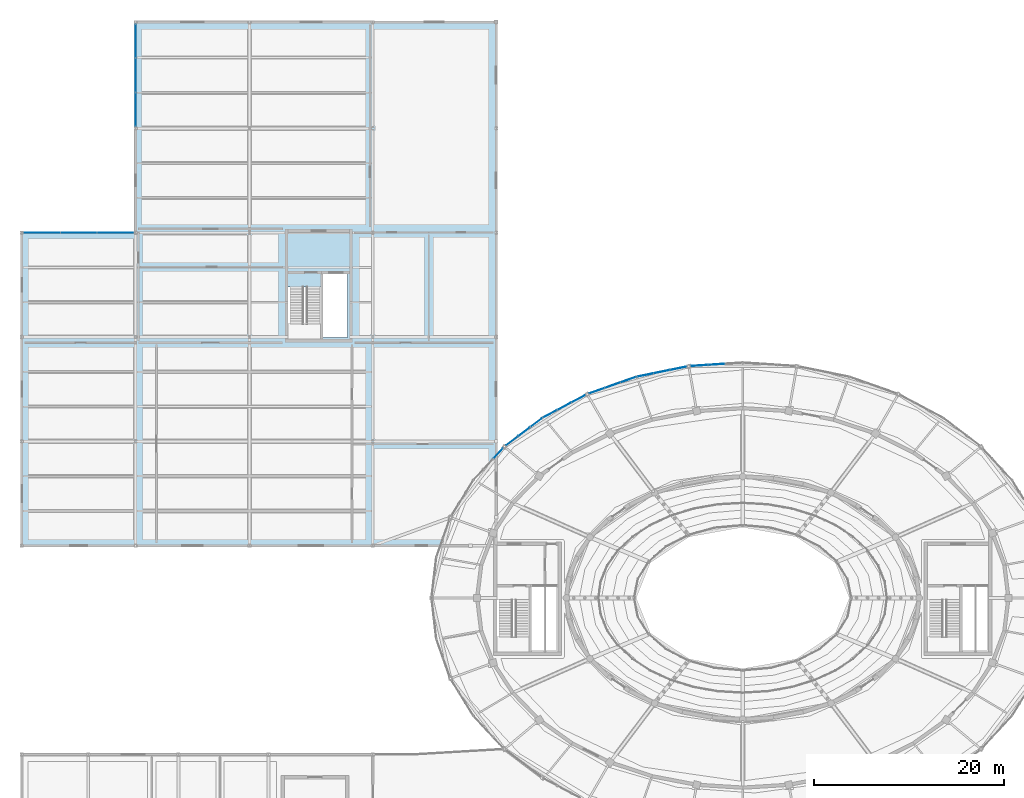
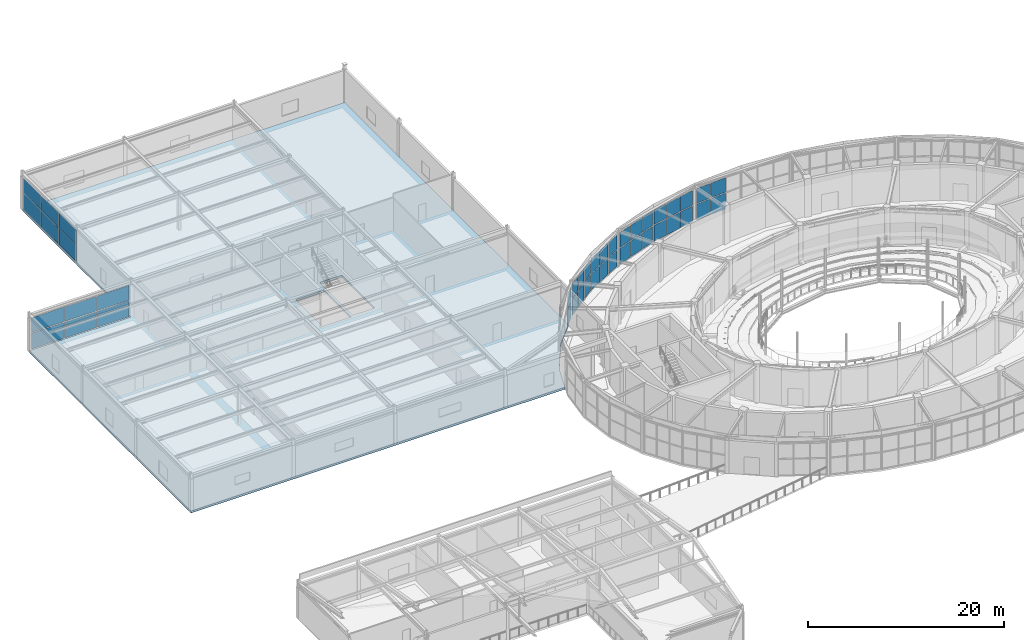
# One storey, part 82 of 108: 42 plates, 1 slab, 8 elements without a shape of their own.
"""IFC4 building model written with IfcOpenShell, lengths in metres."""

from ifc_helpers import new_model, si_unit, direction, frame, origin, origin_2d, place, context, subcontext, project, spatial, polyline, rectangle, outline, extrude, material, layer, layer_set, type_object, element, aggregate, save


model = new_model("IFC4")

# Units and contexts
model_context = context("Model", 3, precision=1e-05, world=origin(), true_north=direction((0.0, 1.0)))
body_context = subcontext(model_context, "Body", "Model", "MODEL_VIEW")
ifc_project = project(units=[si_unit("LENGTHUNIT", "METRE"), si_unit("AREAUNIT", "SQUARE_METRE"), si_unit("VOLUMEUNIT", "CUBIC_METRE"), si_unit("PLANEANGLEUNIT", "RADIAN"), si_unit("MASSUNIT", "GRAM", prefix="KILO")], contexts=[model_context])

# Site, building, storey
site_placement = place(None, origin())
site = spatial("IfcSite", under=ifc_project, at=site_placement, CompositionType="ELEMENT")
building_placement = place(site_placement, origin())
building = spatial("IfcBuilding", under=site, at=building_placement, Name="Tarnveldt Headland Concert Hall", CompositionType="ELEMENT")
storey_placement = place(building_placement, frame((0.0, 0.0, 9.60009765625)))
storey = spatial("IfcBuildingStorey", under=building, at=storey_placement, Name="L02", CompositionType="ELEMENT", Elevation=9.60009765625)

# Curtain wall, plates
ifc_material_1 = material(Name="Marine-anodised aluminium EN AW-6063-T6", Category="aluminium")
curtain_wall_type_1 = type_object("IfcCurtainWallType", Name="CW-F3", PredefinedType="NOTDEFINED", material=ifc_material_1)
curtain_wall_1_placement = place(storey_placement, origin())
curtain_wall_1 = element("IfcCurtainWall", 1, at=curtain_wall_1_placement, inside=storey, type_object=curtain_wall_type_1, Name="Curtain wall CW-L02-069", PredefinedType="NOTDEFINED")
ifc_material_2 = material(Name="Acoustic laminated low-iron double glazing", Category="glass")
ifc_layer_1 = layer(ifc_material_2, 0.028076171875, Name="Acoustic laminated low-iron double glazing", Category="glass")
ifc_layer_set_1 = layer_set([ifc_layer_1], Name="Acoustic laminated low-iron double glazing")
plate_type_1 = type_object("IfcPlateType", Name="PN-F3", PredefinedType="CURTAIN_PANEL", material=ifc_layer_set_1)
plate_1_placement = place(storey_placement, frame((80.73291015625, 79.116943359375, 0.09228515625), z_axis=(0.0, 0.0, 1.0), x_axis=(-0.997817632274, -0.066030089531, 0.0)))
plate_1 = element("IfcPlate", 2, at=plate_1_placement, type_object=plate_type_1, Name="Glazed panel CW-L02-069-2-1", PredefinedType="CURTAIN_PANEL", context=body_context, shape_type="SweptSolid", body=[
    extrude(rectangle(XDim=1.713134765625, YDim=0.028076171875, at=origin_2d()), origin(), (0.0, 0.0, 1.0), 2.001220703125),
])
plate_2_placement = place(storey_placement, frame((80.73291015625, 79.116943359375, 2.178466796875), z_axis=(0.0, 0.0, 1.0), x_axis=(-0.997817632274, -0.066030089531, 0.0)))
plate_2 = element("IfcPlate", 3, at=plate_2_placement, type_object=plate_type_1, Name="Glazed panel CW-L02-069-2-2", PredefinedType="CURTAIN_PANEL", context=body_context, shape_type="SweptSolid", body=[
    extrude(rectangle(XDim=1.713134765625, YDim=0.028076171875, at=origin_2d()), origin(), (0.0, 0.0, 1.0), 1.8369140625),
])
plate_3_placement = place(storey_placement, frame((78.914794921875, 78.99658203125, 0.09228515625), z_axis=(0.0, 0.0, 1.0), x_axis=(-0.997817632274, -0.066030089531, 0.0)))
plate_3 = element("IfcPlate", 4, at=plate_3_placement, type_object=plate_type_1, Name="Glazed panel CW-L02-069-3-1", PredefinedType="CURTAIN_PANEL", context=body_context, shape_type="SweptSolid", body=[
    extrude(rectangle(XDim=1.713134765625, YDim=0.028076171875, at=origin_2d()), origin(), (0.0, 0.0, 1.0), 2.001220703125),
])
plate_4_placement = place(storey_placement, frame((78.914794921875, 78.99658203125, 2.178466796875), z_axis=(0.0, 0.0, 1.0), x_axis=(-0.997817632274, -0.066030089531, 0.0)))
plate_4 = element("IfcPlate", 5, at=plate_4_placement, type_object=plate_type_1, Name="Glazed panel CW-L02-069-3-2", PredefinedType="CURTAIN_PANEL", context=body_context, shape_type="SweptSolid", body=[
    extrude(rectangle(XDim=1.713134765625, YDim=0.028076171875, at=origin_2d()), origin(), (0.0, 0.0, 1.0), 1.8369140625),
])
aggregate(curtain_wall_1, [plate_1, plate_2, plate_3, plate_4])

curtain_wall_2_placement = place(storey_placement, origin())
curtain_wall_2 = element("IfcCurtainWall", 6, at=curtain_wall_2_placement, inside=storey, type_object=curtain_wall_type_1, Name="Curtain wall CW-L02-070", PredefinedType="NOTDEFINED")
plate_5_placement = place(storey_placement, frame((76.7255859375, 78.70458984375, 0.09228515625), z_axis=(0.0, 0.0, 1.0), x_axis=(-0.98008791737, -0.198564030542, 0.0)))
plate_5 = element("IfcPlate", 7, at=plate_5_placement, type_object=plate_type_1, Name="Glazed panel CW-L02-070-1-1", PredefinedType="CURTAIN_PANEL", context=body_context, shape_type="SweptSolid", body=[
    extrude(rectangle(XDim=1.688720703125, YDim=0.028076171875, at=origin_2d()), origin(), (0.0, 0.0, 1.0), 2.001220703125),
])
plate_6_placement = place(storey_placement, frame((76.7255859375, 78.70458984375, 2.178466796875), z_axis=(0.0, 0.0, 1.0), x_axis=(-0.98008791737, -0.198564030542, 0.0)))
plate_6 = element("IfcPlate", 8, at=plate_6_placement, type_object=plate_type_1, Name="Glazed panel CW-L02-070-1-2", PredefinedType="CURTAIN_PANEL", context=body_context, shape_type="SweptSolid", body=[
    extrude(rectangle(XDim=1.688720703125, YDim=0.028076171875, at=origin_2d()), origin(), (0.0, 0.0, 1.0), 1.8369140625),
])
plate_7_placement = place(storey_placement, frame((74.963623046875, 78.34765625, 0.09228515625), z_axis=(0.0, 0.0, 1.0), x_axis=(-0.98008791737, -0.198564030542, 0.0)))
plate_7 = element("IfcPlate", 9, at=plate_7_placement, type_object=plate_type_1, Name="Glazed panel CW-L02-070-2-1", PredefinedType="CURTAIN_PANEL", context=body_context, shape_type="SweptSolid", body=[
    extrude(rectangle(XDim=1.688720703125, YDim=0.028076171875, at=origin_2d()), origin(), (0.0, 0.0, 1.0), 2.001220703125),
])
plate_8_placement = place(storey_placement, frame((74.963623046875, 78.34765625, 2.178466796875), z_axis=(0.0, 0.0, 1.0), x_axis=(-0.98008791737, -0.198564030542, 0.0)))
plate_8 = element("IfcPlate", 10, at=plate_8_placement, type_object=plate_type_1, Name="Glazed panel CW-L02-070-2-2", PredefinedType="CURTAIN_PANEL", context=body_context, shape_type="SweptSolid", body=[
    extrude(rectangle(XDim=1.688720703125, YDim=0.028076171875, at=origin_2d()), origin(), (0.0, 0.0, 1.0), 1.8369140625),
])
plate_9_placement = place(storey_placement, frame((73.201904296875, 77.99072265625, 0.09228515625), z_axis=(0.0, 0.0, 1.0), x_axis=(-0.98008791737, -0.198564030542, 0.0)))
plate_9 = element("IfcPlate", 11, at=plate_9_placement, type_object=plate_type_1, Name="Glazed panel CW-L02-070-3-1", PredefinedType="CURTAIN_PANEL", context=body_context, shape_type="SweptSolid", body=[
    extrude(rectangle(XDim=1.688720703125, YDim=0.028076171875, at=origin_2d()), origin(), (0.0, 0.0, 1.0), 2.001220703125),
])
plate_10_placement = place(storey_placement, frame((73.201904296875, 77.99072265625, 2.178466796875), z_axis=(0.0, 0.0, 1.0), x_axis=(-0.98008791737, -0.198564030542, 0.0)))
plate_10 = element("IfcPlate", 12, at=plate_10_placement, type_object=plate_type_1, Name="Glazed panel CW-L02-070-3-2", PredefinedType="CURTAIN_PANEL", context=body_context, shape_type="SweptSolid", body=[
    extrude(rectangle(XDim=1.688720703125, YDim=0.028076171875, at=origin_2d()), origin(), (0.0, 0.0, 1.0), 1.8369140625),
])
aggregate(curtain_wall_2, [plate_5, plate_6, plate_7, plate_8, plate_9, plate_10])

curtain_wall_3_placement = place(storey_placement, origin())
curtain_wall_3 = element("IfcCurtainWall", 13, at=curtain_wall_3_placement, inside=storey, type_object=curtain_wall_type_1, Name="Curtain wall CW-L02-071", PredefinedType="NOTDEFINED")
plate_11_placement = place(storey_placement, frame((71.41845703125, 77.5, 0.09228515625), z_axis=(0.0, 0.0, 1.0), x_axis=(-0.9430950477, -0.33252327889, 0.0)))
plate_11 = element("IfcPlate", 14, at=plate_11_placement, type_object=plate_type_1, Name="Glazed panel CW-L02-071-1-1", PredefinedType="CURTAIN_PANEL", context=body_context, shape_type="SweptSolid", body=[
    extrude(rectangle(XDim=1.641845703125, YDim=0.028076171875, at=origin_2d()), origin(), (0.0, 0.0, 1.0), 2.001220703125),
])
plate_12_placement = place(storey_placement, frame((71.41845703125, 77.5, 2.178466796875), z_axis=(0.0, 0.0, 1.0), x_axis=(-0.9430950477, -0.33252327889, 0.0)))
plate_12 = element("IfcPlate", 15, at=plate_12_placement, type_object=plate_type_1, Name="Glazed panel CW-L02-071-1-2", PredefinedType="CURTAIN_PANEL", context=body_context, shape_type="SweptSolid", body=[
    extrude(rectangle(XDim=1.641845703125, YDim=0.028076171875, at=origin_2d()), origin(), (0.0, 0.0, 1.0), 1.8369140625),
])
plate_13_placement = place(storey_placement, frame((69.76708984375, 76.91796875, 0.09228515625), z_axis=(0.0, 0.0, 1.0), x_axis=(-0.9430950477, -0.33252327889, 0.0)))
plate_13 = element("IfcPlate", 16, at=plate_13_placement, type_object=plate_type_1, Name="Glazed panel CW-L02-071-2-1", PredefinedType="CURTAIN_PANEL", context=body_context, shape_type="SweptSolid", body=[
    extrude(rectangle(XDim=1.641845703125, YDim=0.028076171875, at=origin_2d()), origin(), (0.0, 0.0, 1.0), 2.001220703125),
])
plate_14_placement = place(storey_placement, frame((69.76708984375, 76.91796875, 2.178466796875), z_axis=(0.0, 0.0, 1.0), x_axis=(-0.9430950477, -0.33252327889, 0.0)))
plate_14 = element("IfcPlate", 17, at=plate_14_placement, type_object=plate_type_1, Name="Glazed panel CW-L02-071-2-2", PredefinedType="CURTAIN_PANEL", context=body_context, shape_type="SweptSolid", body=[
    extrude(rectangle(XDim=1.641845703125, YDim=0.028076171875, at=origin_2d()), origin(), (0.0, 0.0, 1.0), 1.8369140625),
])
plate_15_placement = place(storey_placement, frame((68.1162109375, 76.335693359375, 0.09228515625), z_axis=(0.0, 0.0, 1.0), x_axis=(-0.9430950477, -0.33252327889, 0.0)))
plate_15 = element("IfcPlate", 18, at=plate_15_placement, type_object=plate_type_1, Name="Glazed panel CW-L02-071-3-1", PredefinedType="CURTAIN_PANEL", context=body_context, shape_type="SweptSolid", body=[
    extrude(rectangle(XDim=1.641845703125, YDim=0.028076171875, at=origin_2d()), origin(), (0.0, 0.0, 1.0), 2.001220703125),
])
plate_16_placement = place(storey_placement, frame((68.1162109375, 76.335693359375, 2.178466796875), z_axis=(0.0, 0.0, 1.0), x_axis=(-0.9430950477, -0.33252327889, 0.0)))
plate_16 = element("IfcPlate", 19, at=plate_16_placement, type_object=plate_type_1, Name="Glazed panel CW-L02-071-3-2", PredefinedType="CURTAIN_PANEL", context=body_context, shape_type="SweptSolid", body=[
    extrude(rectangle(XDim=1.641845703125, YDim=0.028076171875, at=origin_2d()), origin(), (0.0, 0.0, 1.0), 1.8369140625),
])
aggregate(curtain_wall_3, [plate_11, plate_12, plate_13, plate_14, plate_15, plate_16])

curtain_wall_4_placement = place(storey_placement, origin())
curtain_wall_4 = element("IfcCurtainWall", 20, at=curtain_wall_4_placement, inside=storey, type_object=curtain_wall_type_1, Name="Curtain wall CW-L02-072", PredefinedType="NOTDEFINED")
plate_17_placement = place(storey_placement, frame((66.176513671875, 75.488525390625, 0.09228515625), z_axis=(0.0, 0.0, 1.0), x_axis=(-0.883781963382, -0.467898964735, 0.0)))
plate_17 = element("IfcPlate", 21, at=plate_17_placement, type_object=plate_type_1, Name="Glazed panel CW-L02-072-1-1", PredefinedType="CURTAIN_PANEL", context=body_context, shape_type="SweptSolid", body=[
    extrude(rectangle(XDim=1.576904296875, YDim=0.028076171875, at=origin_2d()), origin(), (0.0, 0.0, 1.0), 2.001220703125),
])
plate_18_placement = place(storey_placement, frame((66.176513671875, 75.488525390625, 2.178466796875), z_axis=(0.0, 0.0, 1.0), x_axis=(-0.883781963382, -0.467898964735, 0.0)))
plate_18 = element("IfcPlate", 22, at=plate_18_placement, type_object=plate_type_1, Name="Glazed panel CW-L02-072-1-2", PredefinedType="CURTAIN_PANEL", context=body_context, shape_type="SweptSolid", body=[
    extrude(rectangle(XDim=1.576904296875, YDim=0.028076171875, at=origin_2d()), origin(), (0.0, 0.0, 1.0), 1.8369140625),
])
plate_19_placement = place(storey_placement, frame((64.686767578125, 74.69970703125, 0.09228515625), z_axis=(0.0, 0.0, 1.0), x_axis=(-0.883781963382, -0.467898964735, 0.0)))
plate_19 = element("IfcPlate", 23, at=plate_19_placement, type_object=plate_type_1, Name="Glazed panel CW-L02-072-2-1", PredefinedType="CURTAIN_PANEL", context=body_context, shape_type="SweptSolid", body=[
    extrude(rectangle(XDim=1.576904296875, YDim=0.028076171875, at=origin_2d()), origin(), (0.0, 0.0, 1.0), 2.001220703125),
])
plate_20_placement = place(storey_placement, frame((64.686767578125, 74.69970703125, 2.178466796875), z_axis=(0.0, 0.0, 1.0), x_axis=(-0.883781963382, -0.467898964735, 0.0)))
plate_20 = element("IfcPlate", 24, at=plate_20_placement, type_object=plate_type_1, Name="Glazed panel CW-L02-072-2-2", PredefinedType="CURTAIN_PANEL", context=body_context, shape_type="SweptSolid", body=[
    extrude(rectangle(XDim=1.576904296875, YDim=0.028076171875, at=origin_2d()), origin(), (0.0, 0.0, 1.0), 1.8369140625),
])
plate_21_placement = place(storey_placement, frame((63.197021484375, 73.910888671875, 0.09228515625), z_axis=(0.0, 0.0, 1.0), x_axis=(-0.883781963382, -0.467898964735, 0.0)))
plate_21 = element("IfcPlate", 25, at=plate_21_placement, type_object=plate_type_1, Name="Glazed panel CW-L02-072-3-1", PredefinedType="CURTAIN_PANEL", context=body_context, shape_type="SweptSolid", body=[
    extrude(rectangle(XDim=1.576904296875, YDim=0.028076171875, at=origin_2d()), origin(), (0.0, 0.0, 1.0), 2.001220703125),
])
plate_22_placement = place(storey_placement, frame((63.197021484375, 73.910888671875, 2.178466796875), z_axis=(0.0, 0.0, 1.0), x_axis=(-0.883781963382, -0.467898964735, 0.0)))
plate_22 = element("IfcPlate", 26, at=plate_22_placement, type_object=plate_type_1, Name="Glazed panel CW-L02-072-3-2", PredefinedType="CURTAIN_PANEL", context=body_context, shape_type="SweptSolid", body=[
    extrude(rectangle(XDim=1.576904296875, YDim=0.028076171875, at=origin_2d()), origin(), (0.0, 0.0, 1.0), 1.8369140625),
])
aggregate(curtain_wall_4, [plate_17, plate_18, plate_19, plate_20, plate_21, plate_22])

curtain_wall_5_placement = place(storey_placement, origin())
curtain_wall_5 = element("IfcCurtainWall", 27, at=curtain_wall_5_placement, inside=storey, type_object=curtain_wall_type_1, Name="Curtain wall CW-L02-073", PredefinedType="NOTDEFINED")
plate_23_placement = place(storey_placement, frame((61.7431640625, 72.988525390625, 0.09228515625), z_axis=(0.0, 0.0, 1.0), x_axis=(-0.797657618631, -0.603110539984, 0.0)))
plate_23 = element("IfcPlate", 28, at=plate_23_placement, type_object=plate_type_1, Name="Glazed panel CW-L02-073-1-1", PredefinedType="CURTAIN_PANEL", context=body_context, shape_type="SweptSolid", body=[
    extrude(rectangle(XDim=1.499755859375, YDim=0.028076171875, at=origin_2d()), origin(), (0.0, 0.0, 1.0), 2.001220703125),
])
plate_24_placement = place(storey_placement, frame((61.7431640625, 72.988525390625, 2.178466796875), z_axis=(0.0, 0.0, 1.0), x_axis=(-0.797657618631, -0.603110539984, 0.0)))
plate_24 = element("IfcPlate", 29, at=plate_24_placement, type_object=plate_type_1, Name="Glazed panel CW-L02-073-1-2", PredefinedType="CURTAIN_PANEL", context=body_context, shape_type="SweptSolid", body=[
    extrude(rectangle(XDim=1.499755859375, YDim=0.028076171875, at=origin_2d()), origin(), (0.0, 0.0, 1.0), 1.8369140625),
])
plate_25_placement = place(storey_placement, frame((60.459716796875, 72.018310546875, 0.09228515625), z_axis=(0.0, 0.0, 1.0), x_axis=(-0.797657618631, -0.603110539984, 0.0)))
plate_25 = element("IfcPlate", 30, at=plate_25_placement, type_object=plate_type_1, Name="Glazed panel CW-L02-073-2-1", PredefinedType="CURTAIN_PANEL", context=body_context, shape_type="SweptSolid", body=[
    extrude(rectangle(XDim=1.499755859375, YDim=0.028076171875, at=origin_2d()), origin(), (0.0, 0.0, 1.0), 2.001220703125),
])
plate_26_placement = place(storey_placement, frame((60.459716796875, 72.018310546875, 2.178466796875), z_axis=(0.0, 0.0, 1.0), x_axis=(-0.797657618631, -0.603110539984, 0.0)))
plate_26 = element("IfcPlate", 31, at=plate_26_placement, type_object=plate_type_1, Name="Glazed panel CW-L02-073-2-2", PredefinedType="CURTAIN_PANEL", context=body_context, shape_type="SweptSolid", body=[
    extrude(rectangle(XDim=1.499755859375, YDim=0.028076171875, at=origin_2d()), origin(), (0.0, 0.0, 1.0), 1.8369140625),
])
plate_27_placement = place(storey_placement, frame((59.176513671875, 71.048095703125, 0.09228515625), z_axis=(0.0, 0.0, 1.0), x_axis=(-0.797657618631, -0.603110539984, 0.0)))
plate_27 = element("IfcPlate", 32, at=plate_27_placement, type_object=plate_type_1, Name="Glazed panel CW-L02-073-3-1", PredefinedType="CURTAIN_PANEL", context=body_context, shape_type="SweptSolid", body=[
    extrude(rectangle(XDim=1.499755859375, YDim=0.028076171875, at=origin_2d()), origin(), (0.0, 0.0, 1.0), 2.001220703125),
])
plate_28_placement = place(storey_placement, frame((59.176513671875, 71.048095703125, 2.178466796875), z_axis=(0.0, 0.0, 1.0), x_axis=(-0.797657618631, -0.603110539984, 0.0)))
plate_28 = element("IfcPlate", 33, at=plate_28_placement, type_object=plate_type_1, Name="Glazed panel CW-L02-073-3-2", PredefinedType="CURTAIN_PANEL", context=body_context, shape_type="SweptSolid", body=[
    extrude(rectangle(XDim=1.499755859375, YDim=0.028076171875, at=origin_2d()), origin(), (0.0, 0.0, 1.0), 1.8369140625),
])
aggregate(curtain_wall_5, [plate_23, plate_24, plate_25, plate_26, plate_27, plate_28])

curtain_wall_6_placement = place(storey_placement, origin())
curtain_wall_6 = element("IfcCurtainWall", 34, at=curtain_wall_6_placement, inside=storey, type_object=curtain_wall_type_1, Name="Curtain wall CW-L02-074", PredefinedType="NOTDEFINED")
plate_29_placement = place(storey_placement, frame((57.71728515625, 69.732421875, 0.09228515625), z_axis=(0.0, 0.0, 1.0), x_axis=(-0.679466915851, -0.73370614708, 0.0)))
plate_29 = element("IfcPlate", 35, at=plate_29_placement, type_object=plate_type_1, Name="Glazed panel CW-L02-074-1-1", PredefinedType="CURTAIN_PANEL", context=body_context, shape_type="SweptSolid", body=[
    extrude(rectangle(XDim=1.419189453125, YDim=0.028076171875, at=origin_2d()), origin(), (0.0, 0.0, 1.0), 2.001220703125),
])
plate_30_placement = place(storey_placement, frame((57.71728515625, 69.732421875, 2.178466796875), z_axis=(0.0, 0.0, 1.0), x_axis=(-0.679466915851, -0.73370614708, 0.0)))
plate_30 = element("IfcPlate", 36, at=plate_30_placement, type_object=plate_type_1, Name="Glazed panel CW-L02-074-1-2", PredefinedType="CURTAIN_PANEL", context=body_context, shape_type="SweptSolid", body=[
    extrude(rectangle(XDim=1.419189453125, YDim=0.028076171875, at=origin_2d()), origin(), (0.0, 0.0, 1.0), 1.8369140625),
])
aggregate(curtain_wall_6, [plate_29, plate_30])

curtain_wall_type_2 = type_object("IfcCurtainWallType", Name="CW-R3", PredefinedType="NOTDEFINED", material=ifc_material_1)
curtain_wall_7_placement = place(storey_placement, origin())
curtain_wall_7 = element("IfcCurtainWall", 37, at=curtain_wall_7_placement, inside=storey, type_object=curtain_wall_type_2, Name="Curtain wall CW-L02-181", PredefinedType="NOTDEFINED")
ifc_layer_2 = layer(ifc_material_2, 0.01904296875, Name="Acoustic laminated low-iron double glazing", Category="glass")
ifc_layer_set_2 = layer_set([ifc_layer_2], Name="Acoustic laminated low-iron double glazing")
plate_type_2 = type_object("IfcPlateType", Name="PN-R3", PredefinedType="CURTAIN_PANEL", material=ifc_layer_set_2)
plate_31_placement = place(storey_placement, frame((19.5, 113.206787109375, 0.092529296875), z_axis=(0.0, 0.0, 1.0), x_axis=(0.0, -1.0, 0.0)))
plate_31 = element("IfcPlate", 38, at=plate_31_placement, type_object=plate_type_2, Name="Glazed panel CW-L02-181-1-1", PredefinedType="CURTAIN_PANEL", context=body_context, shape_type="SweptSolid", body=[
    extrude(rectangle(XDim=3.502685546875, YDim=0.01904296875, at=origin_2d()), origin(), (0.0, 0.0, 1.0), 1.99072265625),
])
plate_32_placement = place(storey_placement, frame((19.5, 113.206787109375, 2.168212890625), z_axis=(0.0, 0.0, 1.0), x_axis=(0.0, -1.0, 0.0)))
plate_32 = element("IfcPlate", 39, at=plate_32_placement, type_object=plate_type_2, Name="Glazed panel CW-L02-181-1-2", PredefinedType="CURTAIN_PANEL", context=body_context, shape_type="SweptSolid", body=[
    extrude(rectangle(XDim=3.502685546875, YDim=0.01904296875, at=origin_2d()), origin(), (0.0, 0.0, 1.0), 1.8271484375),
])
plate_33_placement = place(storey_placement, frame((19.5, 109.60009765625, 0.092529296875), z_axis=(0.0, 0.0, 1.0), x_axis=(0.0, -1.0, 0.0)))
plate_33 = element("IfcPlate", 40, at=plate_33_placement, type_object=plate_type_2, Name="Glazed panel CW-L02-181-2-1", PredefinedType="CURTAIN_PANEL", context=body_context, shape_type="SweptSolid", body=[
    extrude(rectangle(XDim=3.502685546875, YDim=0.01904296875, at=origin_2d()), origin(), (0.0, 0.0, 1.0), 1.99072265625),
])
plate_34_placement = place(storey_placement, frame((19.5, 109.60009765625, 2.168212890625), z_axis=(0.0, 0.0, 1.0), x_axis=(0.0, -1.0, 0.0)))
plate_34 = element("IfcPlate", 41, at=plate_34_placement, type_object=plate_type_2, Name="Glazed panel CW-L02-181-2-2", PredefinedType="CURTAIN_PANEL", context=body_context, shape_type="SweptSolid", body=[
    extrude(rectangle(XDim=3.502685546875, YDim=0.01904296875, at=origin_2d()), origin(), (0.0, 0.0, 1.0), 1.8271484375),
])
plate_35_placement = place(storey_placement, frame((19.5, 105.993408203125, 0.092529296875), z_axis=(0.0, 0.0, 1.0), x_axis=(0.0, -1.0, 0.0)))
plate_35 = element("IfcPlate", 42, at=plate_35_placement, type_object=plate_type_2, Name="Glazed panel CW-L02-181-3-1", PredefinedType="CURTAIN_PANEL", context=body_context, shape_type="SweptSolid", body=[
    extrude(rectangle(XDim=3.502685546875, YDim=0.01904296875, at=origin_2d()), origin(), (0.0, 0.0, 1.0), 1.99072265625),
])
plate_36_placement = place(storey_placement, frame((19.5, 105.993408203125, 2.168212890625), z_axis=(0.0, 0.0, 1.0), x_axis=(0.0, -1.0, 0.0)))
plate_36 = element("IfcPlate", 43, at=plate_36_placement, type_object=plate_type_2, Name="Glazed panel CW-L02-181-3-2", PredefinedType="CURTAIN_PANEL", context=body_context, shape_type="SweptSolid", body=[
    extrude(rectangle(XDim=3.502685546875, YDim=0.01904296875, at=origin_2d()), origin(), (0.0, 0.0, 1.0), 1.8271484375),
])
aggregate(curtain_wall_7, [plate_31, plate_32, plate_33, plate_34, plate_35, plate_36])

curtain_wall_8_placement = place(storey_placement, origin())
curtain_wall_8 = element("IfcCurtainWall", 44, at=curtain_wall_8_placement, inside=storey, type_object=curtain_wall_type_2, Name="Curtain wall CW-L02-182", PredefinedType="NOTDEFINED")
plate_37_placement = place(storey_placement, frame((17.373291015625, 93.0, 0.092529296875), z_axis=(0.0, 0.0, 1.0), x_axis=(-1.0, 0.0, 0.0)))
plate_37 = element("IfcPlate", 45, at=plate_37_placement, type_object=plate_type_2, Name="Glazed panel CW-L02-182-1-1", PredefinedType="CURTAIN_PANEL", context=body_context, shape_type="SweptSolid", body=[
    extrude(rectangle(XDim=3.769287109375, YDim=0.01904296875, at=origin_2d()), origin(), (0.0, 0.0, 1.0), 1.99072265625),
])
plate_38_placement = place(storey_placement, frame((17.373291015625, 93.0, 2.168212890625), z_axis=(0.0, 0.0, 1.0), x_axis=(-1.0, 0.0, 0.0)))
plate_38 = element("IfcPlate", 46, at=plate_38_placement, type_object=plate_type_2, Name="Glazed panel CW-L02-182-1-2", PredefinedType="CURTAIN_PANEL", context=body_context, shape_type="SweptSolid", body=[
    extrude(rectangle(XDim=3.769287109375, YDim=0.01904296875, at=origin_2d()), origin(), (0.0, 0.0, 1.0), 1.8271484375),
])
plate_39_placement = place(storey_placement, frame((13.5, 93.0, 0.092529296875), z_axis=(0.0, 0.0, 1.0), x_axis=(-1.0, 0.0, 0.0)))
plate_39 = element("IfcPlate", 47, at=plate_39_placement, type_object=plate_type_2, Name="Glazed panel CW-L02-182-2-1", PredefinedType="CURTAIN_PANEL", context=body_context, shape_type="SweptSolid", body=[
    extrude(rectangle(XDim=3.769287109375, YDim=0.01904296875, at=origin_2d()), origin(), (0.0, 0.0, 1.0), 1.99072265625),
])
plate_40_placement = place(storey_placement, frame((13.5, 93.0, 2.168212890625), z_axis=(0.0, 0.0, 1.0), x_axis=(-1.0, 0.0, 0.0)))
plate_40 = element("IfcPlate", 48, at=plate_40_placement, type_object=plate_type_2, Name="Glazed panel CW-L02-182-2-2", PredefinedType="CURTAIN_PANEL", context=body_context, shape_type="SweptSolid", body=[
    extrude(rectangle(XDim=3.769287109375, YDim=0.01904296875, at=origin_2d()), origin(), (0.0, 0.0, 1.0), 1.8271484375),
])
plate_41_placement = place(storey_placement, frame((9.626708984375, 93.0, 0.092529296875), z_axis=(0.0, 0.0, 1.0), x_axis=(-1.0, 0.0, 0.0)))
plate_41 = element("IfcPlate", 49, at=plate_41_placement, type_object=plate_type_2, Name="Glazed panel CW-L02-182-3-1", PredefinedType="CURTAIN_PANEL", context=body_context, shape_type="SweptSolid", body=[
    extrude(rectangle(XDim=3.769287109375, YDim=0.01904296875, at=origin_2d()), origin(), (0.0, 0.0, 1.0), 1.99072265625),
])
plate_42_placement = place(storey_placement, frame((9.626708984375, 93.0, 2.168212890625), z_axis=(0.0, 0.0, 1.0), x_axis=(-1.0, 0.0, 0.0)))
plate_42 = element("IfcPlate", 50, at=plate_42_placement, type_object=plate_type_2, Name="Glazed panel CW-L02-182-3-2", PredefinedType="CURTAIN_PANEL", context=body_context, shape_type="SweptSolid", body=[
    extrude(rectangle(XDim=3.769287109375, YDim=0.01904296875, at=origin_2d()), origin(), (0.0, 0.0, 1.0), 1.8271484375),
])
aggregate(curtain_wall_8, [plate_37, plate_38, plate_39, plate_40, plate_41, plate_42])

# Slab
ifc_material_3 = material(Name="Concrete C40/50", Category="concrete")
ifc_layer_3 = layer(ifc_material_3, 0.260009765625, Name="Concrete C40/50", Category="concrete")
ifc_layer_set_3 = layer_set([ifc_layer_3], Name="Concrete C40/50")
slab_type = type_object("IfcSlabType", Name="SL-FL260", PredefinedType="FLOOR", material=ifc_layer_set_3)
slab_placement = place(storey_placement, frame((0.0, 0.0, -0.260009765625)))
element("IfcSlab", 51, at=slab_placement, inside=storey, type_object=slab_type, Name="Backstage rehearsal wing floor slab L02", PredefinedType="FLOOR", context=body_context, shape_type="SweptSolid", body=[
    extrude(outline(polyline([(19.5, 93.0), (7.5, 93.0), (7.5, 60.0), (51.621337890625, 60.0), (52.677978515625, 62.982177734375), (55.094482421875, 66.89990234375), (57.5, 69.49755859375), (57.5, 115.199951171875), (19.5, 115.199951171875), (19.5, 93.0)]), holes=[polyline([(35.580078125, 87.280029296875), (38.9599609375, 87.280029296875), (38.9599609375, 81.780029296875), (35.580078125, 81.780029296875), (35.580078125, 87.280029296875)]), polyline([(41.840087890625, 88.659912109375), (41.840087890625, 81.9599609375), (39.239990234375, 81.9599609375), (39.239990234375, 88.659912109375), (41.840087890625, 88.659912109375)])]), origin(), (0.0, 0.0, 1.0), 0.260009765625),
])

save(model, "model.ifc")
